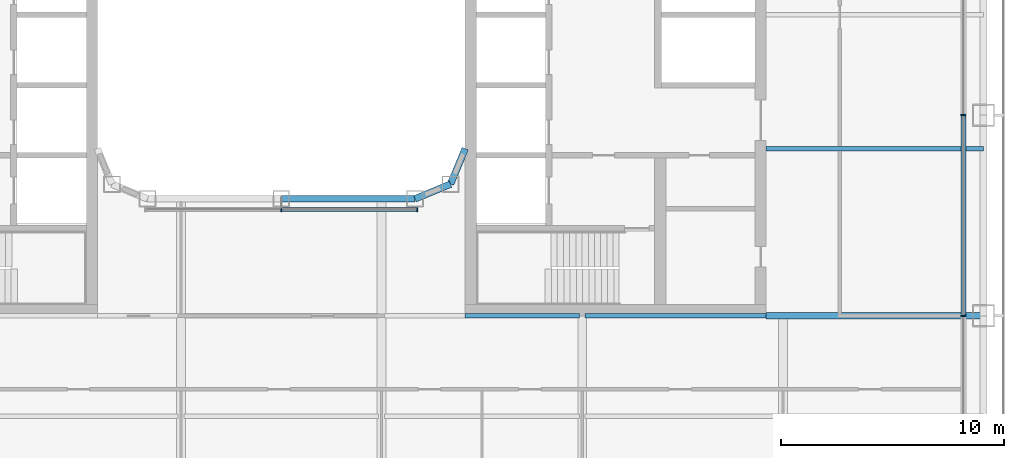
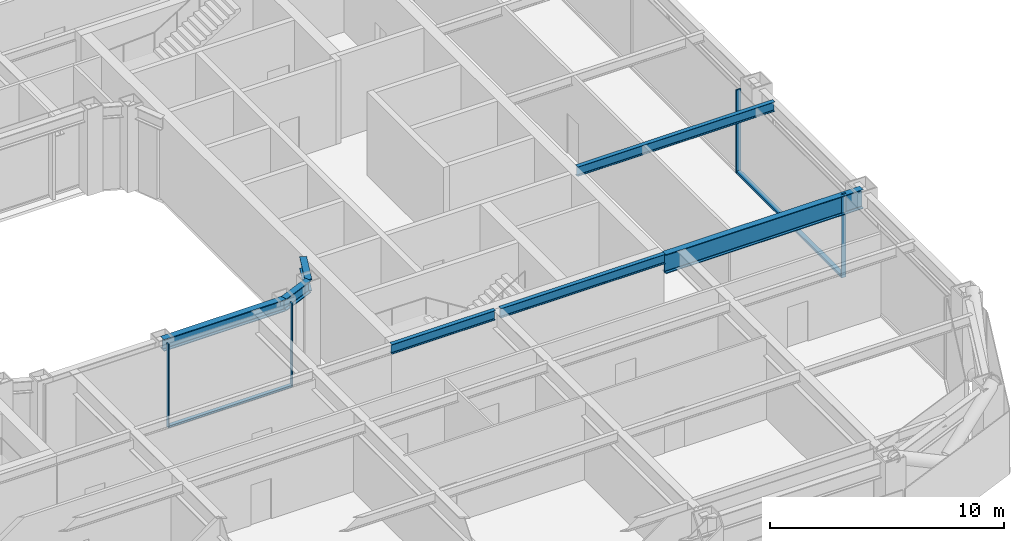
# One storey, part 5 of 28: 7 beams, 6 members, 2 elements without a shape of their own.
"""IFC4 building model written with IfcOpenShell, lengths in metres."""

from ifc_helpers import new_model, si_unit, direction, frame, origin, origin_2d, place, context, subcontext, project, spatial, rectangle, i_section, extrude, material, layer, layer_set, material_profile, profile_set, type_object, element, aggregate, save


model = new_model("IFC4")

# Units and contexts
model_context = context("Model", 3, precision=1e-05, world=origin(), true_north=direction((0.0, 1.0)))
body_context = subcontext(model_context, "Body", "Model", "MODEL_VIEW")
ifc_project = project(units=[si_unit("LENGTHUNIT", "METRE"), si_unit("AREAUNIT", "SQUARE_METRE"), si_unit("VOLUMEUNIT", "CUBIC_METRE"), si_unit("PLANEANGLEUNIT", "RADIAN"), si_unit("MASSUNIT", "GRAM", prefix="KILO")], contexts=[model_context])

# Site, building, storey
site_placement = place(None, origin())
site = spatial("IfcSite", under=ifc_project, at=site_placement, CompositionType="ELEMENT")
building_placement = place(site_placement, origin())
building = spatial("IfcBuilding", under=site, at=building_placement, Name="Siwar Civic Tower", CompositionType="ELEMENT")
storey_placement = place(building_placement, frame((0.0, 0.0, 85.199951171875)))
storey = spatial("IfcBuildingStorey", under=building, at=storey_placement, Name="L18", CompositionType="ELEMENT", Elevation=85.199951171875)

# Curtain wall, members
ifc_material_1 = material(Name="Aluminium and glass", Category="aluminium")
ifc_layer_1 = layer(ifc_material_1, 0.219970703125)
ifc_layer_set_1 = layer_set([ifc_layer_1], Name="Aluminium and glass")
curtain_wall_type_1 = type_object("IfcCurtainWallType", Name="ENV-CW-A", PredefinedType="NOTDEFINED", material=ifc_layer_set_1)
curtain_wall_1_placement = place(storey_placement, origin())
curtain_wall_1 = element("IfcCurtainWall", 1, at=curtain_wall_1_placement, inside=storey, type_object=curtain_wall_type_1, Name="Curtain wall A E", PredefinedType="NOTDEFINED")
ifc_material_2 = material(Name="Aluminium 6063-T6", Category="aluminium")
ifc_material_profile_1 = material_profile(ifc_material_2, rectangle(XDim=0.219970703125, YDim=0.070068359375, at=origin_2d()), Name="AL 220x70")
ifc_profile_set_1 = profile_set([ifc_material_profile_1], Name="Aluminium 6063-T6")
member_type_1 = type_object("IfcMemberType", Name="ENV-MULLION-A", PredefinedType="MULLION", material=ifc_profile_set_1)
member_1_placement = place(storey_placement, frame((30.60009765625, -13.5, 0.0), z_axis=(0.0, 0.0, 1.0), x_axis=(-1.0, 0.0, 0.0)))
member_1 = element("IfcMember", 2, at=member_1_placement, type_object=member_type_1, Name="Mullion A E 2", PredefinedType="MULLION", context=body_context, shape_type="SweptSolid", body=[
    extrude(rectangle(XDim=0.219970703125, YDim=0.070068359375, at=origin_2d()), origin(), (0.0, 0.0, 1.0), 4.35009765625),
])
member_2_placement = place(storey_placement, frame((30.60009765625, -4.5, 0.0), z_axis=(0.0, 0.0, 1.0), x_axis=(-1.0, 0.0, 0.0)))
member_2 = element("IfcMember", 3, at=member_2_placement, type_object=member_type_1, Name="Mullion A E 3", PredefinedType="MULLION", context=body_context, shape_type="SweptSolid", body=[
    extrude(rectangle(XDim=0.219970703125, YDim=0.070068359375, at=origin_2d()), origin(), (0.0, 0.0, 1.0), 4.35009765625),
])

ifc_material_3 = material(Name="Aluminium and glass", Category="aluminium")
ifc_layer_2 = layer(ifc_material_3, 0.179931640625)
ifc_layer_set_2 = layer_set([ifc_layer_2], Name="Aluminium and glass")
curtain_wall_type_2 = type_object("IfcCurtainWallType", Name="ENV-CW-W", PredefinedType="NOTDEFINED", material=ifc_layer_set_2)
curtain_wall_2_placement = place(storey_placement, origin())
curtain_wall_2 = element("IfcCurtainWall", 4, at=curtain_wall_2_placement, inside=storey, type_object=curtain_wall_type_2, Name="Curtain wall W WS", PredefinedType="NOTDEFINED")
ifc_material_4 = material(Name="Aluminium 6063-T6", Category="aluminium")
ifc_material_profile_2 = material_profile(ifc_material_4, rectangle(XDim=0.179931640625, YDim=0.06005859375, at=origin_2d()), Name="AL 180x60")
ifc_profile_set_2 = profile_set([ifc_material_profile_2], Name="Aluminium 6063-T6")
member_type_2 = type_object("IfcMemberType", Name="ENV-MULLION-W", PredefinedType="MULLION", material=ifc_profile_set_2)
member_3_placement = place(storey_placement, frame((0.0, -8.735107421875, 0.0), z_axis=(0.0, 0.0, 1.0), x_axis=(0.0, 1.0, 0.0)))
member_3 = element("IfcMember", 5, at=member_3_placement, type_object=member_type_2, Name="Mullion W WS 2", PredefinedType="MULLION", context=body_context, shape_type="SweptSolid", body=[
    extrude(rectangle(XDim=0.179931640625, YDim=0.06005859375, at=origin_2d()), origin(), (0.0, 0.0, 1.0), 4.35009765625),
])
member_4_placement = place(storey_placement, frame((6.096435546875, -8.735107421875, 0.0), z_axis=(0.0, 0.0, 1.0), x_axis=(0.0, 1.0, 0.0)))
member_4 = element("IfcMember", 6, at=member_4_placement, type_object=member_type_2, Name="Mullion W WS 3", PredefinedType="MULLION", context=body_context, shape_type="SweptSolid", body=[
    extrude(rectangle(XDim=0.179931640625, YDim=0.06005859375, at=origin_2d()), origin(), (0.0, 0.0, 1.0), 4.35009765625),
])

# Member
ifc_material_5 = material(Name="Aluminium 6063-T6", Category="aluminium")
ifc_material_profile_3 = material_profile(ifc_material_5, rectangle(XDim=0.219970703125, YDim=0.1201171875, at=origin_2d()), Name="AL 220x120")
ifc_profile_set_3 = profile_set([ifc_material_profile_3], Name="Aluminium 6063-T6")
member_type_3 = type_object("IfcMemberType", Name="ENV-TRANSOM-A", PredefinedType="USERDEFINED", material=ifc_profile_set_3)
member_5_placement = place(storey_placement, frame((30.60009765625, -13.465087890625, 0.06005859375), z_axis=(0.0, 1.0, 0.0), x_axis=(-1.0, 0.0, 0.0)))
member_5 = element("IfcMember", 7, at=member_5_placement, type_object=member_type_3, Name="Transom A E 2", ObjectType="TRANSOM", PredefinedType="USERDEFINED", context=body_context, shape_type="SweptSolid", body=[
    extrude(rectangle(XDim=0.219970703125, YDim=0.1201171875, at=origin_2d()), origin(), (0.0, 0.0, 1.0), 8.93017578125),
])

aggregate(curtain_wall_1, [member_1, member_2, member_5])

ifc_material_6 = material(Name="Aluminium 6063-T6", Category="aluminium")
ifc_material_profile_4 = material_profile(ifc_material_6, rectangle(XDim=0.179931640625, YDim=0.10009765625, at=origin_2d()), Name="AL 180x100")
ifc_profile_set_4 = profile_set([ifc_material_profile_4], Name="Aluminium 6063-T6")
member_type_4 = type_object("IfcMemberType", Name="ENV-TRANSOM-W", PredefinedType="USERDEFINED", material=ifc_profile_set_4)
member_6_placement = place(storey_placement, frame((0.030029296875, -8.735107421875, 0.050048828125), z_axis=(1.0, 0.0, 0.0), x_axis=(0.0, 1.0, 0.0)))
member_6 = element("IfcMember", 8, at=member_6_placement, type_object=member_type_4, Name="Transom W WS 2", ObjectType="TRANSOM", PredefinedType="USERDEFINED", context=body_context, shape_type="SweptSolid", body=[
    extrude(rectangle(XDim=0.179931640625, YDim=0.10009765625, at=origin_2d()), origin(), (0.0, 0.0, 1.0), 6.036376953125),
])

aggregate(curtain_wall_2, [member_3, member_4, member_6])

# Beams
ifc_material_7 = material(Name="Steel S355", Category="steel")
ifc_material_profile_5 = material_profile(ifc_material_7, i_section(OverallWidth=0.199951171875, OverallDepth=0.5, WebThickness=0.01025390625, FlangeThickness=0.01611328125, FilletRadius=0.02099609375, at=origin_2d()), Name="IPE500")
ifc_profile_set_5 = profile_set([ifc_material_profile_5], Name="Steel S355")
beam_type_1 = type_object("IfcBeamType", Name="STR-FB-IPE500", PredefinedType="JOIST", material=ifc_profile_set_5)
beam_1_placement = place(storey_placement, frame((8.25, -13.5, 4.10009765625), z_axis=(1.0, 0.0, 0.0), x_axis=(0.0, 1.0, 0.0)))
element("IfcBeam", 9, at=beam_1_placement, inside=storey, type_object=beam_type_1, Name="L18/bm/F028", PredefinedType="JOIST", context=body_context, shape_type="SweptSolid", body=[
    extrude(i_section(OverallWidth=0.199951171875, OverallDepth=0.5, WebThickness=0.01025390625, FlangeThickness=0.01611328125, FilletRadius=0.02099609375, at=origin_2d()), origin(), (0.0, 0.0, 1.0), 5.1201171875),
])
beam_2_placement = place(storey_placement, frame((13.6298828125, -13.5, 4.10009765625), z_axis=(1.0, 0.0, 0.0), x_axis=(0.0, 1.0, 0.0)))
element("IfcBeam", 10, at=beam_2_placement, inside=storey, type_object=beam_type_1, Name="L18/bm/F029", PredefinedType="JOIST", context=body_context, shape_type="SweptSolid", body=[
    extrude(i_section(OverallWidth=0.199951171875, OverallDepth=0.5, WebThickness=0.01025390625, FlangeThickness=0.01611328125, FilletRadius=0.02099609375, at=origin_2d()), origin(), (0.0, 0.0, 1.0), 8.1201171875),
])
beam_3_placement = place(storey_placement, frame((21.75, -6.0, 4.10009765625), z_axis=(1.0, 0.0, 0.0), x_axis=(0.0, 1.0, 0.0)))
element("IfcBeam", 11, at=beam_3_placement, inside=storey, type_object=beam_type_1, Name="L18/bm/F032", PredefinedType="JOIST", context=body_context, shape_type="SweptSolid", body=[
    extrude(i_section(OverallWidth=0.199951171875, OverallDepth=0.5, WebThickness=0.01025390625, FlangeThickness=0.01611328125, FilletRadius=0.02099609375, at=origin_2d()), origin(), (0.0, 0.0, 1.0), 9.75),
])
ifc_material_8 = material(Name="Steel S355", Category="steel")
ifc_material_profile_6 = material_profile(ifc_material_8, i_section(OverallWidth=0.300048828125, OverallDepth=1.0, WebThickness=0.01904296875, FlangeThickness=0.035888671875, FilletRadius=0.030029296875, at=origin_2d()), Name="HEB1000")
ifc_profile_set_6 = profile_set([ifc_material_profile_6], Name="Steel S355")
beam_type_2 = type_object("IfcBeamType", Name="STR-PG-HEB1000", PredefinedType="BEAM", material=ifc_profile_set_6)
beam_4_placement = place(storey_placement, frame((21.75, -13.5, 3.85009765625), z_axis=(1.0, 0.0, 0.0), x_axis=(0.0, 1.0, 0.0)))
element("IfcBeam", 12, at=beam_4_placement, inside=storey, type_object=beam_type_2, Name="L18/bm/F030", PredefinedType="BEAM", context=body_context, shape_type="SweptSolid", body=[
    extrude(i_section(OverallWidth=0.300048828125, OverallDepth=1.0, WebThickness=0.01904296875, FlangeThickness=0.035888671875, FilletRadius=0.030029296875, at=origin_2d()), origin(), (0.0, 0.0, 1.0), 9.75),
])
ifc_material_9 = material(Name="Steel S355", Category="steel")
ifc_material_profile_7 = material_profile(ifc_material_9, i_section(OverallWidth=0.304931640625, OverallDepth=0.6201171875, WebThickness=0.02099609375, FlangeThickness=0.0400390625, FilletRadius=0.027099609375, at=origin_2d()), Name="HEM600")
ifc_profile_set_7 = profile_set([ifc_material_profile_7], Name="Steel S355")
beam_type_3 = type_object("IfcBeamType", Name="STR-RB-HEM600", PredefinedType="BEAM", material=ifc_profile_set_7)
beam_5_placement = place(storey_placement, frame((0.0, -8.25, 4.0400390625), z_axis=(1.0, 0.0, 0.0), x_axis=(0.0, 1.0, 0.0)))
element("IfcBeam", 13, at=beam_5_placement, inside=storey, type_object=beam_type_3, Name="L18/bm/RS2", PredefinedType="BEAM", context=body_context, shape_type="SweptSolid", body=[
    extrude(i_section(OverallWidth=0.304931640625, OverallDepth=0.6201171875, WebThickness=0.02099609375, FlangeThickness=0.0400390625, FilletRadius=0.027099609375, at=origin_2d()), origin(), (0.0, 0.0, 1.0), 6.0),
])
for number, where, z_axis, x_axis, name in (
    (14, (6.0, -8.25, 4.0400390625), (0.923901072997, 0.382631424892, 0.0), (-0.382631424892, 0.923901072997, 0.0), "L18/bm/RS3"),
    (15, (7.591064453125, -7.591064453125, 4.0400390625), (0.382631424892, 0.923901072997, 0.0), (-0.923901072997, 0.382631424892, 0.0), "L18/bm/RSEE"),
):
    element("IfcBeam", number, at=place(storey_placement, frame(where, z_axis=z_axis, x_axis=x_axis)), inside=storey, type_object=beam_type_3, Name=name, PredefinedType="BEAM", context=body_context, shape_type="SweptSolid", body=[
        extrude(i_section(OverallWidth=0.304931640625, OverallDepth=0.6201171875, WebThickness=0.02099609375, FlangeThickness=0.0400390625, FilletRadius=0.027099609375, at=origin_2d()), origin(), (0.0, 0.0, 1.0), 1.72216796875),
    ])

save(model, "model.ifc")
